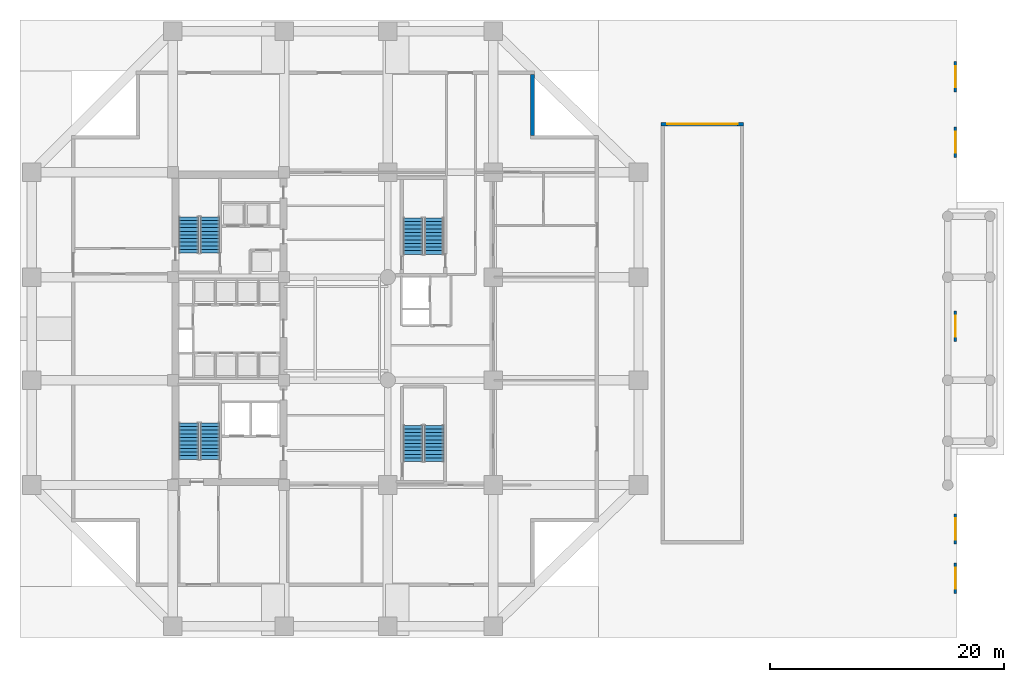
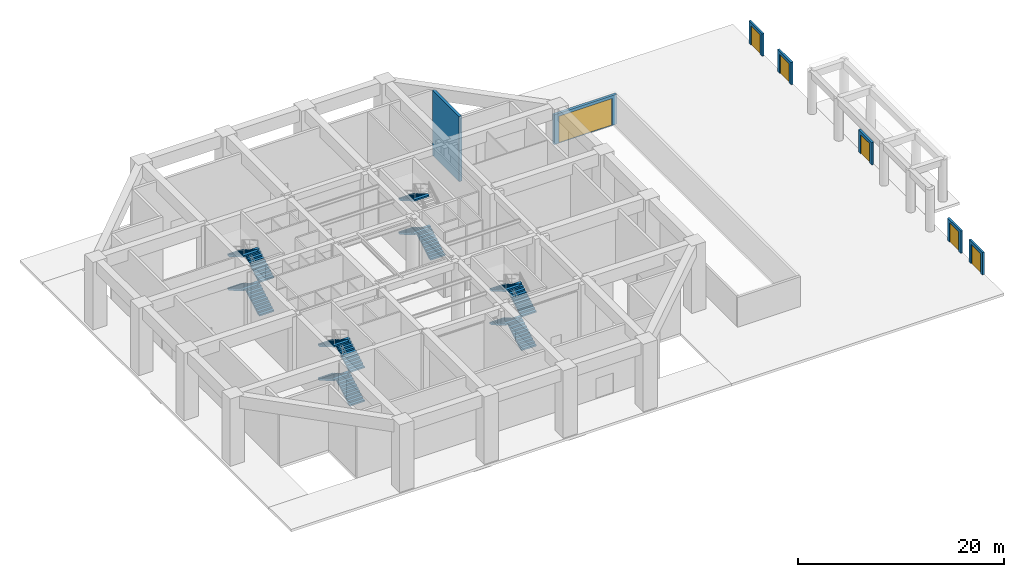
# One storey, part 6 of 10: 15 stair flights, 7 walls, 6 doors, 6 openings, 4 elements without a shape of their own.
"""IFC4 building model written with IfcOpenShell, lengths in metres."""

import ifcopenshell
import ifcopenshell.guid

model = None  # the IFC model being written
_history = None  # IfcOwnerHistory: only IFC2X3 demands one
_inside = {}  # id of a spatial element -> (the spatial element, [elements in it])
_under = {}  # id of a project, library or spatial element -> (it, [spatial elements below it])
_declared = {}  # id of a project -> (the project, [libraries it declares])
_typed = {}  # id of a type object -> (the type object, [elements of that type])
_made_of = {}  # id of a material, layer set ... -> (it, [elements and type objects made of it])


def new_model(schema):
    """Start an empty IFC model of exactly this schema.

    Asked for "IFC4X3", IfcOpenShell would pick the latest addendum, in which some entities
    have other attributes; the version numbers below select the first issue.
    IFC2X3 requires an IfcOwnerHistory on every rooted entity: one is made here for all.
    """
    global model, _history
    if schema == "IFC4X3":
        model = ifcopenshell.file(schema_version=(4, 3, 0, 0))
    else:
        model = ifcopenshell.file(schema=schema)
    _inside.clear()
    _under.clear()
    _declared.clear()
    _typed.clear()
    _made_of.clear()
    _history = None
    if model.schema == "IFC2X3":
        org = make("IfcOrganization", Name="unknown")
        user = make(
            "IfcPersonAndOrganization",
            ThePerson=make("IfcPerson", FamilyName="unknown"),
            TheOrganization=org,
        )
        app = make(
            "IfcApplication",
            ApplicationDeveloper=org,
            Version="unknown",
            ApplicationFullName="unknown",
            ApplicationIdentifier="unknown",
        )
        _history = make(
            "IfcOwnerHistory",
            OwningUser=user,
            OwningApplication=app,
            ChangeAction="ADDED",
            CreationDate=0,
        )
    return model


def make(cls, **values):
    """One entity of the class cls with the attributes given. An attribute that is None is left unset."""
    return model.create_entity(
        cls, **{name: value for name, value in values.items() if value is not None}
    )


def rooted(cls, **values):
    """An entity with a GlobalId (a new one), such as an element, a storey or a relation."""
    return make(cls, GlobalId=ifcopenshell.guid.new(), OwnerHistory=_history, **values)


def si_unit(unit_type, name, prefix=None):
    """IfcSIUnit, for example si_unit("LENGTHUNIT", "METRE", prefix="MILLI")."""
    return make("IfcSIUnit", UnitType=unit_type, Prefix=prefix, Name=name)


def assignment(units):
    """IfcUnitAssignment: the units of a project."""
    return None if units is None else make("IfcUnitAssignment", Units=units)


def point(xyz):
    """IfcCartesianPoint."""
    return None if xyz is None else make("IfcCartesianPoint", Coordinates=xyz)


def direction(xyz):
    """IfcDirection."""
    return None if xyz is None else make("IfcDirection", DirectionRatios=xyz)


def frame(location, z_axis=None, x_axis=None):
    """IfcAxis2Placement3D, a coordinate frame: its origin and axes. An axis left out is left unset."""
    return make(
        "IfcAxis2Placement3D",
        Location=point(location),
        Axis=direction(z_axis),
        RefDirection=direction(x_axis),
    )


def frame_2d(location, x_axis=None):
    """IfcAxis2Placement2D, a coordinate frame in the plane: its origin and x axis."""
    return make(
        "IfcAxis2Placement2D", Location=point(location), RefDirection=direction(x_axis)
    )


def origin():
    """The frame at (0, 0, 0) with its axes left unset."""
    return frame((0.0, 0.0, 0.0))


def place(relative_to, where):
    """IfcLocalPlacement: puts the frame where relative to a parent placement (None: the world)."""
    return make(
        "IfcLocalPlacement", PlacementRelTo=relative_to, RelativePlacement=where
    )


def context(
    kind, dimensions, precision=None, world=None, true_north=None, identifier=None
):
    """IfcGeometricRepresentationContext, for example the 3D "Model" context."""
    return make(
        "IfcGeometricRepresentationContext",
        ContextIdentifier=identifier,
        ContextType=kind,
        CoordinateSpaceDimension=dimensions,
        Precision=precision,
        WorldCoordinateSystem=world,
        TrueNorth=true_north,
    )


def subcontext(parent, identifier, kind, view, scale=None):
    """IfcGeometricRepresentationSubContext, for example "Body" below "Model"."""
    return make(
        "IfcGeometricRepresentationSubContext",
        ContextIdentifier=identifier,
        ContextType=kind,
        ParentContext=parent,
        TargetScale=scale,
        TargetView=view,
    )


def project(units=None, contexts=None):
    """IfcProject with its units and contexts."""
    return rooted(
        "IfcProject",
        Name="project",
        RepresentationContexts=contexts,
        UnitsInContext=assignment(units),
    )


def spatial(cls, under=None, at=None, **own):
    """A site, building, storey or space (cls), placed at a placement, below another one or the project."""
    s = rooted(cls, ObjectPlacement=at, **own)
    if under is not None:
        _under.setdefault(under.id(), (under, []))[1].append(s)
    return s


def polyline(points):
    """IfcPolyline through the points."""
    return make("IfcPolyline", Points=[point(p) for p in points])


def profile(cls, at=None, kind="AREA", **sizes):
    """A parametric profile (cls). Its sizes go by their IFC names, for example OverallWidth=200.0."""
    return make(cls, ProfileType=kind, Position=at, **sizes)


def rectangle(**sizes):
    """IfcRectangleProfileDef."""
    return profile("IfcRectangleProfileDef", **sizes)


def outline(outer, holes=None, kind="AREA"):
    """IfcArbitraryClosedProfileDef: a profile drawn as a closed curve; with holes, ...WithVoids."""
    if holes is None:
        return make("IfcArbitraryClosedProfileDef", ProfileType=kind, OuterCurve=outer)
    return make(
        "IfcArbitraryProfileDefWithVoids",
        ProfileType=kind,
        OuterCurve=outer,
        InnerCurves=holes,
    )


def extrude(swept, where, along, depth):
    """IfcExtrudedAreaSolid: the profile swept, set in the frame where, extruded along a direction by depth."""
    return make(
        "IfcExtrudedAreaSolid",
        SweptArea=swept,
        Position=where,
        ExtrudedDirection=direction(along),
        Depth=depth,
    )


def shape(context_of_items, identifier, shape_type, items):
    """IfcShapeRepresentation: the items that make up one representation, for example the "Body"."""
    return make(
        "IfcShapeRepresentation",
        ContextOfItems=context_of_items,
        RepresentationIdentifier=identifier,
        RepresentationType=shape_type,
        Items=items,
    )


def material(Name=None, Category=None):
    """IfcMaterial."""
    return make("IfcMaterial", Name=Name, Category=Category)


def layer(
    of_material, thickness, ventilated=None, Name=None, Category=None, Priority=None
):
    """IfcMaterialLayer: one layer of a wall or slab, of a material (None: an air gap)."""
    return make(
        "IfcMaterialLayer",
        Material=of_material,
        LayerThickness=thickness,
        IsVentilated=ventilated,
        Name=Name,
        Category=Category,
        Priority=Priority,
    )


def layer_set(layers, Name=None):
    """IfcMaterialLayerSet."""
    return make("IfcMaterialLayerSet", MaterialLayers=layers, LayerSetName=Name)


def made_of(thing, what):
    """Note that an element or type object is made of a material, layer set ...; save() writes the relation."""
    if what is not None:
        _made_of.setdefault(what.id(), (what, []))[1].append(thing)
    return thing


def type_object(cls, material=None, **own):
    """A type object (cls), such as IfcWallType, which elements share."""
    return made_of(rooted(cls, **own), material)


def element(
    cls,
    number,
    at=None,
    inside=None,
    cuts=None,
    type_object=None,
    material=None,
    context=None,
    identifier="Body",
    shape_type=None,
    held_by="IfcProductDefinitionShape",
    body=None,
    shapes=None,
    **own,
):
    """One element of the class cls, such as IfcWall. Its Tag is "e" and its number.

    at: its placement. inside: the storey or other place that contains it. cuts: it is an
    opening in that element (IfcRelVoidsElement). A single representation is given by context,
    identifier, shape_type and body (its items); several are given by shapes. held_by: the class
    of the entity that holds the representations. save() writes the other relations.
    """
    e = rooted(cls, Tag="e%d" % number, ObjectPlacement=at, **own)
    if body is not None:
        shapes = [shape(context, identifier, shape_type, body)]
    if shapes is not None:
        e.Representation = make(held_by, Representations=shapes)
    if inside is not None:
        _inside.setdefault(inside.id(), (inside, []))[1].append(e)
    if cuts is not None:
        rooted(
            "IfcRelVoidsElement", RelatingBuildingElement=cuts, RelatedOpeningElement=e
        )
    if type_object is not None:
        _typed.setdefault(type_object.id(), (type_object, []))[1].append(e)
    return made_of(e, material)


def fill(opening, filler):
    """IfcRelFillsElement: the door or window that sits in an opening."""
    return rooted(
        "IfcRelFillsElement",
        RelatingOpeningElement=opening,
        RelatedBuildingElement=filler,
    )


def aggregate(whole, parts):
    """IfcRelAggregates: a whole, such as a stair, and the parts it consists of."""
    return rooted("IfcRelAggregates", RelatingObject=whole, RelatedObjects=parts)


def save(model, path):
    """Write the relations noted so far, then the file.

    IfcRelAggregates (storeys below a building ...), IfcRelContainedInSpatialStructure (elements
    in a storey), IfcRelDefinesByType, IfcRelAssociatesMaterial and IfcRelDeclares: one each for
    every whole, place, type object, material and project.
    """
    for whole, parts in _under.values():
        aggregate(whole, parts)
    for where, things in _inside.values():
        rooted(
            "IfcRelContainedInSpatialStructure",
            RelatedElements=things,
            RelatingStructure=where,
        )
    for kind, things in _typed.values():
        rooted("IfcRelDefinesByType", RelatedObjects=things, RelatingType=kind)
    for what, things in _made_of.values():
        rooted("IfcRelAssociatesMaterial", RelatedObjects=things, RelatingMaterial=what)
    for by, libraries in _declared.values():
        rooted("IfcRelDeclares", RelatingContext=by, RelatedDefinitions=libraries)
    model.write(path)


model = new_model("IFC4")

# Units and contexts
model_context = context("Model", 3, precision=1e-05, world=origin(), true_north=direction((0.0, 1.0)))
body_context = subcontext(model_context, "Body", "Model", "MODEL_VIEW")
ifc_project = project(units=[si_unit("LENGTHUNIT", "METRE"), si_unit("AREAUNIT", "SQUARE_METRE"), si_unit("VOLUMEUNIT", "CUBIC_METRE"), si_unit("PLANEANGLEUNIT", "RADIAN"), si_unit("MASSUNIT", "GRAM", prefix="KILO")], contexts=[model_context])

# Site, building, storey
site_placement = place(None, origin())
site = spatial("IfcSite", under=ifc_project, at=site_placement, CompositionType="ELEMENT")
building_placement = place(site_placement, origin())
building = spatial("IfcBuilding", under=site, at=building_placement, Name="Kundavana Baori Tower", CompositionType="ELEMENT")
storey_placement = place(building_placement, origin())
storey = spatial("IfcBuildingStorey", under=building, at=storey_placement, Name="L00", CompositionType="ELEMENT", Elevation=0.0)

# Wall, opening, door
ifc_material_1 = material(Name="Concrete C50/60", Category="concrete")
ifc_layer_1 = layer(ifc_material_1, 0.39990234375, Name="WL-CORE-400")
ifc_layer_set_1 = layer_set([ifc_layer_1], Name="Concrete C50/60")
wall_type_1 = type_object("IfcWallType", Name="WL-CORE-400", PredefinedType="SHEAR", material=ifc_layer_set_1)
wall_1_placement = place(storey_placement, frame((57.1201171875, 46.06005859375, 0.0), z_axis=(0.0, 0.0, 1.0), x_axis=(1.0, 0.0, 0.0)))
wall_1 = element("IfcWall", 1, at=wall_1_placement, inside=storey, type_object=wall_type_1, Name="L00 Car Park Ramp Portal Facade Wall", PredefinedType="SHEAR", context=body_context, shape_type="SweptSolid", body=[
    extrude(rectangle(XDim=7.059814453125, YDim=0.280029296875, at=frame_2d((3.52978515625, 0.0))), origin(), (0.0, 0.0, 1.0), 3.5400390625),
])
opening_1_placement = place(wall_1_placement, frame((0.530029296875, 0.0, 0.0)))
opening_1 = element("IfcOpeningElement", 2, at=opening_1_placement, cuts=wall_1, Name="Opening VG-1", PredefinedType="OPENING", context=body_context, shape_type="SweptSolid", body=[
    extrude(rectangle(XDim=6.0, YDim=3.199951171875, at=frame_2d((3.0, 1.60009765625))), frame((0.0, 0.14990234375, 0.0), z_axis=(0.0, -1.0, 0.0), x_axis=(1.0, 0.0, 0.0)), (0.0, 0.0, 1.0), 0.300048828125),
])
ifc_material_2 = material(Name="Architectural Patinated Bronze Metalwork")
door_type_1 = type_object("IfcDoorType", Name="DR-VEH-GATE-6000", OperationType="NOTDEFINED", PredefinedType="GATE", material=ifc_material_2)
door_1_placement = place(opening_1_placement, origin())
door_1 = element("IfcDoor", 3, at=door_1_placement, inside=storey, type_object=door_type_1, Name="L00 Basement Car Park Roller Shutter Vehicle Gate VG-1", OperationType="ROLLINGUP", OverallHeight=3.199951171875, OverallWidth=6.0, PredefinedType="GATE", context=body_context, shape_type="SweptSolid", body=[
    extrude(rectangle(XDim=6.0, YDim=3.199951171875, at=frame_2d((3.0, 1.60009765625))), frame((0.0, 0.02490234375, 0.0), z_axis=(0.0, -1.0, 0.0), x_axis=(1.0, 0.0, 0.0)), (0.0, 0.0, 1.0), 0.050048828125),
])
fill(opening_1, door_1)

# Wall
ifc_material_3 = material(Name="Red-Buff Dholpur Sandstone Cladding on Concrete C40/50", Category="masonry")
ifc_layer_2 = layer(ifc_material_3, 0.300048828125, Name="WL-EXT-SAND-300")
ifc_layer_set_2 = layer_set([ifc_layer_2], Name="Red-Buff Dholpur Sandstone Cladding on Concrete C40/50")
wall_type_2 = type_object("IfcWallType", Name="WL-EXT-SAND-300", PredefinedType="STANDARD", material=ifc_layer_set_2)
wall_2_placement = place(storey_placement, frame((46.14990234375, 45.10009765625, 0.0), z_axis=(0.0, 0.0, 1.0), x_axis=(0.0, 1.0, 0.0)))
element("IfcWall", 4, at=wall_2_placement, inside=storey, type_object=wall_type_2, Name="L00 Exterior Insulated Facade Wall 06", PredefinedType="STANDARD", context=body_context, shape_type="SweptSolid", body=[
    extrude(rectangle(XDim=5.199951171875, YDim=0.300048828125, at=frame_2d((2.60009765625, 0.0))), origin(), (0.0, 0.0, 1.0), 7.719970703125),
])

# Wall, opening, door
ifc_material_4 = material(Name="Red-Buff Dholpur Sandstone Cladding on Concrete C40/50", Category="masonry")
ifc_layer_3 = layer(ifc_material_4, 0.219970703125, Name="WL-PARAPET-220")
ifc_layer_set_3 = layer_set([ifc_layer_3], Name="Red-Buff Dholpur Sandstone Cladding on Concrete C40/50")
wall_type_3 = type_object("IfcWallType", Name="WL-PARAPET-220", PredefinedType="PARAPET", material=ifc_layer_set_3)
wall_3_placement = place(storey_placement, frame((82.25, 6.0, 0.0), z_axis=(0.0, 0.0, 1.0), x_axis=(0.0, 1.0, 0.0)))
wall_3 = element("IfcWall", 5, at=wall_3_placement, inside=storey, type_object=wall_type_3, Name="L00 East Service Yard Screen Wall 1", PredefinedType="PARAPET", context=body_context, shape_type="SweptSolid", body=[
    extrude(rectangle(XDim=2.60009765625, YDim=0.219970703125, at=frame_2d((1.300048828125, 0.0))), origin(), (0.0, 0.0, 1.0), 2.64990234375),
])
opening_2_placement = place(wall_3_placement, frame((0.39990234375, 0.0, 0.0)))
opening_2 = element("IfcOpeningElement", 6, at=opening_2_placement, cuts=wall_3, Name="Opening SG-1", PredefinedType="OPENING", context=body_context, shape_type="SweptSolid", body=[
    extrude(rectangle(XDim=1.800048828125, YDim=2.300048828125, at=frame_2d((0.89990234375, 1.14990234375))), frame((0.0, 0.1201171875, 0.0), z_axis=(0.0, -1.0, 0.0), x_axis=(1.0, 0.0, 0.0)), (0.0, 0.0, 1.0), 0.239990234375),
])
ifc_material_5 = material(Name="Architectural Patinated Bronze Metalwork")
door_type_2 = type_object("IfcDoorType", Name="DR-SRV-GATE-1800", OperationType="NOTDEFINED", PredefinedType="GATE", material=ifc_material_5)
door_2_placement = place(opening_2_placement, origin())
door_2 = element("IfcDoor", 7, at=door_2_placement, inside=storey, type_object=door_type_2, Name="L00 Service Yard Access Gate SG-1", OperationType="SINGLE_SWING_LEFT", OverallHeight=2.300048828125, OverallWidth=1.800048828125, PredefinedType="GATE", context=body_context, shape_type="SweptSolid", body=[
    extrude(rectangle(XDim=1.800048828125, YDim=2.300048828125, at=frame_2d((0.89990234375, 1.14990234375))), frame((0.0, 0.02490234375, 0.0), z_axis=(0.0, -1.0, 0.0), x_axis=(1.0, 0.0, 0.0)), (0.0, 0.0, 1.0), 0.050048828125),
])
fill(opening_2, door_2)

wall_4_placement = place(storey_placement, frame((82.25, 10.199951171875, 0.0), z_axis=(0.0, 0.0, 1.0), x_axis=(0.0, 1.0, 0.0)))
wall_4 = element("IfcWall", 8, at=wall_4_placement, inside=storey, type_object=wall_type_3, Name="L00 East Service Yard Screen Wall 2", PredefinedType="PARAPET", context=body_context, shape_type="SweptSolid", body=[
    extrude(rectangle(XDim=2.60009765625, YDim=0.219970703125, at=frame_2d((1.300048828125, 0.0))), origin(), (0.0, 0.0, 1.0), 2.64990234375),
])
opening_3_placement = place(wall_4_placement, frame((0.39990234375, 0.0, 0.0)))
opening_3 = element("IfcOpeningElement", 9, at=opening_3_placement, cuts=wall_4, Name="Opening SG-1", PredefinedType="OPENING", context=body_context, shape_type="SweptSolid", body=[
    extrude(rectangle(XDim=1.800048828125, YDim=2.300048828125, at=frame_2d((0.89990234375, 1.14990234375))), frame((0.0, 0.1201171875, 0.0), z_axis=(0.0, -1.0, 0.0), x_axis=(1.0, 0.0, 0.0)), (0.0, 0.0, 1.0), 0.239990234375),
])
door_3_placement = place(opening_3_placement, origin())
door_3 = element("IfcDoor", 10, at=door_3_placement, inside=storey, type_object=door_type_2, Name="L00 Service Yard Access Gate SG-2", OperationType="SINGLE_SWING_RIGHT", OverallHeight=2.300048828125, OverallWidth=1.800048828125, PredefinedType="GATE", context=body_context, shape_type="SweptSolid", body=[
    extrude(rectangle(XDim=1.800048828125, YDim=2.300048828125, at=frame_2d((0.89990234375, 1.14990234375))), frame((0.0, 0.02490234375, 0.0), z_axis=(0.0, -1.0, 0.0), x_axis=(1.0, 0.0, 0.0)), (0.0, 0.0, 1.0), 0.050048828125),
])
fill(opening_3, door_3)

wall_5_placement = place(storey_placement, frame((82.25, 27.5, 0.0), z_axis=(0.0, 0.0, 1.0), x_axis=(0.0, 1.0, 0.0)))
wall_5 = element("IfcWall", 11, at=wall_5_placement, inside=storey, type_object=wall_type_3, Name="L00 East Service Yard Screen Wall 3", PredefinedType="PARAPET", context=body_context, shape_type="SweptSolid", body=[
    extrude(rectangle(XDim=2.60009765625, YDim=0.219970703125, at=frame_2d((1.300048828125, 0.0))), origin(), (0.0, 0.0, 1.0), 2.64990234375),
])
opening_4_placement = place(wall_5_placement, frame((0.39990234375, 0.0, 0.0)))
opening_4 = element("IfcOpeningElement", 12, at=opening_4_placement, cuts=wall_5, Name="Opening SG-1", PredefinedType="OPENING", context=body_context, shape_type="SweptSolid", body=[
    extrude(rectangle(XDim=1.800048828125, YDim=2.300048828125, at=frame_2d((0.89990234375, 1.14990234375))), frame((0.0, 0.1201171875, 0.0), z_axis=(0.0, -1.0, 0.0), x_axis=(1.0, 0.0, 0.0)), (0.0, 0.0, 1.0), 0.239990234375),
])
door_4_placement = place(opening_4_placement, origin())
door_4 = element("IfcDoor", 13, at=door_4_placement, inside=storey, type_object=door_type_2, Name="L00 Service Yard Access Gate SG-3", OperationType="SINGLE_SWING_LEFT", OverallHeight=2.300048828125, OverallWidth=1.800048828125, PredefinedType="GATE", context=body_context, shape_type="SweptSolid", body=[
    extrude(rectangle(XDim=1.800048828125, YDim=2.300048828125, at=frame_2d((0.89990234375, 1.14990234375))), frame((0.0, 0.02490234375, 0.0), z_axis=(0.0, -1.0, 0.0), x_axis=(1.0, 0.0, 0.0)), (0.0, 0.0, 1.0), 0.050048828125),
])
fill(opening_4, door_4)

wall_6_placement = place(storey_placement, frame((82.25, 43.199951171875, 0.0), z_axis=(0.0, 0.0, 1.0), x_axis=(0.0, 1.0, 0.0)))
wall_6 = element("IfcWall", 14, at=wall_6_placement, inside=storey, type_object=wall_type_3, Name="L00 East Service Yard Screen Wall 4", PredefinedType="PARAPET", context=body_context, shape_type="SweptSolid", body=[
    extrude(rectangle(XDim=2.60009765625, YDim=0.219970703125, at=frame_2d((1.300048828125, 0.0))), origin(), (0.0, 0.0, 1.0), 2.64990234375),
])
opening_5_placement = place(wall_6_placement, frame((0.39990234375, 0.0, 0.0)))
opening_5 = element("IfcOpeningElement", 15, at=opening_5_placement, cuts=wall_6, Name="Opening SG-1", PredefinedType="OPENING", context=body_context, shape_type="SweptSolid", body=[
    extrude(rectangle(XDim=1.800048828125, YDim=2.300048828125, at=frame_2d((0.89990234375, 1.14990234375))), frame((0.0, 0.1201171875, 0.0), z_axis=(0.0, -1.0, 0.0), x_axis=(1.0, 0.0, 0.0)), (0.0, 0.0, 1.0), 0.239990234375),
])
door_5_placement = place(opening_5_placement, origin())
door_5 = element("IfcDoor", 16, at=door_5_placement, inside=storey, type_object=door_type_2, Name="L00 Service Yard Access Gate SG-4", OperationType="SINGLE_SWING_RIGHT", OverallHeight=2.300048828125, OverallWidth=1.800048828125, PredefinedType="GATE", context=body_context, shape_type="SweptSolid", body=[
    extrude(rectangle(XDim=1.800048828125, YDim=2.300048828125, at=frame_2d((0.89990234375, 1.14990234375))), frame((0.0, 0.02490234375, 0.0), z_axis=(0.0, -1.0, 0.0), x_axis=(1.0, 0.0, 0.0)), (0.0, 0.0, 1.0), 0.050048828125),
])
fill(opening_5, door_5)

wall_7_placement = place(storey_placement, frame((82.25, 48.800048828125, 0.0), z_axis=(0.0, 0.0, 1.0), x_axis=(0.0, 1.0, 0.0)))
wall_7 = element("IfcWall", 17, at=wall_7_placement, inside=storey, type_object=wall_type_3, Name="L00 East Service Yard Screen Wall 5", PredefinedType="PARAPET", context=body_context, shape_type="SweptSolid", body=[
    extrude(rectangle(XDim=2.599853515625, YDim=0.219970703125, at=frame_2d((1.2998046875, 0.0))), origin(), (0.0, 0.0, 1.0), 2.64990234375),
])
opening_6_placement = place(wall_7_placement, frame((0.39990234375, 0.0, 0.0)))
opening_6 = element("IfcOpeningElement", 18, at=opening_6_placement, cuts=wall_7, Name="Opening SG-1", PredefinedType="OPENING", context=body_context, shape_type="SweptSolid", body=[
    extrude(rectangle(XDim=1.800048828125, YDim=2.300048828125, at=frame_2d((0.89990234375, 1.14990234375))), frame((0.0, 0.1201171875, 0.0), z_axis=(0.0, -1.0, 0.0), x_axis=(1.0, 0.0, 0.0)), (0.0, 0.0, 1.0), 0.239990234375),
])
door_6_placement = place(opening_6_placement, origin())
door_6 = element("IfcDoor", 19, at=door_6_placement, inside=storey, type_object=door_type_2, Name="L00 Service Yard Access Gate SG-5", OperationType="SINGLE_SWING_LEFT", OverallHeight=2.300048828125, OverallWidth=1.800048828125, PredefinedType="GATE", context=body_context, shape_type="SweptSolid", body=[
    extrude(rectangle(XDim=1.800048828125, YDim=2.300048828125, at=frame_2d((0.89990234375, 1.14990234375))), frame((0.0, 0.02490234375, 0.0), z_axis=(0.0, -1.0, 0.0), x_axis=(1.0, 0.0, 0.0)), (0.0, 0.0, 1.0), 0.050048828125),
])
fill(opening_6, door_6)

# Stair, stair flights
ifc_material_6 = material(Name="Concrete C40/50", Category="concrete")
stair_type = type_object("IfcStairType", Name="STR-DOG-1650", PredefinedType="HALF_TURN_STAIR", material=ifc_material_6)
stair_1_placement = place(storey_placement, origin())
stair_1 = element("IfcStair", 20, at=stair_1_placement, inside=storey, type_object=stair_type, Name="L00 Protected Exit Stair ST1", PredefinedType="HALF_TURN_STAIR")
ifc_material_7 = material(Name="Concrete C40/50", Category="concrete")
stair_flight_type = type_object("IfcStairFlightType", Name="SFL-RC-1650", PredefinedType="STRAIGHT", material=ifc_material_7)
stair_flight_1_placement = place(storey_placement, frame((18.614990234375, 17.449951171875, 0.0), z_axis=(0.0, 0.0, 1.0), x_axis=(0.0, 1.0, 0.0)))
stair_flight_1 = element("IfcStairFlight", 21, at=stair_flight_1_placement, type_object=stair_flight_type, Name="ST1 flight 1", NumberOfRisers=11, NumberOfTreads=10, PredefinedType="STRAIGHT", RiserHeight=0.181818182, TreadLength=0.31, context=body_context, shape_type="SweptSolid", body=[
    extrude(outline(polyline([(0.0, 0.0), (0.0, 0.181884765625), (0.31005859375, 0.181884765625), (0.31005859375, 0.363525390625), (0.6201171875, 0.363525390625), (0.6201171875, 0.54541015625), (0.929931640625, 0.54541015625), (0.929931640625, 0.727294921875), (1.239990234375, 0.727294921875), (1.239990234375, 0.9091796875), (1.550048828125, 0.9091796875), (1.550048828125, 1.0908203125), (1.860107421875, 1.0908203125), (1.860107421875, 1.272705078125), (2.169921875, 1.272705078125), (2.169921875, 1.45458984375), (2.47998046875, 1.45458984375), (2.47998046875, 1.636474609375), (2.7900390625, 1.636474609375), (2.7900390625, 1.818115234375), (3.10009765625, 1.818115234375), (3.10009765625, 2.0), (3.10009765625, 1.644287109375), (0.29638671875, 0.0), (0.0, 0.0)])), frame((0.0, 0.824951171875, 0.0), z_axis=(0.0, -1.0, 0.0), x_axis=(1.0, 0.0, 0.0)), (0.0, 0.0, 1.0), 1.64990234375),
])
stair_flight_2_placement = place(storey_placement, frame((16.804931640625, 20.550048828125, 2.0), z_axis=(0.0, 0.0, 1.0), x_axis=(0.0, -1.0, 0.0)))
stair_flight_2 = element("IfcStairFlight", 22, at=stair_flight_2_placement, type_object=stair_flight_type, Name="ST1 flight 2", NumberOfRisers=11, NumberOfTreads=10, PredefinedType="STRAIGHT", RiserHeight=0.181818182, TreadLength=0.31, context=body_context, shape_type="SweptSolid", body=[
    extrude(outline(polyline([(0.0, 0.0), (0.0, 0.181884765625), (0.31005859375, 0.181884765625), (0.31005859375, 0.363525390625), (0.6201171875, 0.363525390625), (0.6201171875, 0.54541015625), (0.929931640625, 0.54541015625), (0.929931640625, 0.727294921875), (1.239990234375, 0.727294921875), (1.239990234375, 0.9091796875), (1.550048828125, 0.9091796875), (1.550048828125, 1.0908203125), (1.860107421875, 1.0908203125), (1.860107421875, 1.272705078125), (2.169921875, 1.272705078125), (2.169921875, 1.45458984375), (2.47998046875, 1.45458984375), (2.47998046875, 1.636474609375), (2.7900390625, 1.636474609375), (2.7900390625, 1.818115234375), (3.10009765625, 1.818115234375), (3.10009765625, 2.0), (3.10009765625, 1.644287109375), (0.29638671875, 0.0), (0.0, 0.0)])), frame((0.0, 0.824951171875, 0.0), z_axis=(0.0, -1.0, 0.0), x_axis=(1.0, 0.0, 0.0)), (0.0, 0.0, 1.0), 1.64990234375),
])
stair_flight_3_placement = place(storey_placement, frame((18.614990234375, 17.449951171875, 4.0), z_axis=(0.0, 0.0, 1.0), x_axis=(0.0, 1.0, 0.0)))
stair_flight_3 = element("IfcStairFlight", 23, at=stair_flight_3_placement, type_object=stair_flight_type, Name="ST1 flight 3", NumberOfRisers=11, NumberOfTreads=10, PredefinedType="STRAIGHT", RiserHeight=0.181818182, TreadLength=0.31, context=body_context, shape_type="SweptSolid", body=[
    extrude(outline(polyline([(0.0, 0.0), (0.0, 0.181884765625), (0.31005859375, 0.181884765625), (0.31005859375, 0.363525390625), (0.6201171875, 0.363525390625), (0.6201171875, 0.54541015625), (0.929931640625, 0.54541015625), (0.929931640625, 0.727294921875), (1.239990234375, 0.727294921875), (1.239990234375, 0.9091796875), (1.550048828125, 0.9091796875), (1.550048828125, 1.0908203125), (1.860107421875, 1.0908203125), (1.860107421875, 1.272705078125), (2.169921875, 1.272705078125), (2.169921875, 1.45458984375), (2.47998046875, 1.45458984375), (2.47998046875, 1.636474609375), (2.7900390625, 1.636474609375), (2.7900390625, 1.818115234375), (3.10009765625, 1.818115234375), (3.10009765625, 2.0), (3.10009765625, 1.644287109375), (0.29638671875, 0.0), (0.0, 0.0)])), frame((0.0, 0.824951171875, 0.0), z_axis=(0.0, -1.0, 0.0), x_axis=(1.0, 0.0, 0.0)), (0.0, 0.0, 1.0), 1.64990234375),
])
stair_flight_4_placement = place(storey_placement, frame((16.804931640625, 20.550048828125, 6.0), z_axis=(0.0, 0.0, 1.0), x_axis=(0.0, -1.0, 0.0)))
stair_flight_4 = element("IfcStairFlight", 24, at=stair_flight_4_placement, type_object=stair_flight_type, Name="ST1 flight 4", NumberOfRisers=11, NumberOfTreads=10, PredefinedType="STRAIGHT", RiserHeight=0.181818182, TreadLength=0.31, context=body_context, shape_type="SweptSolid", body=[
    extrude(outline(polyline([(0.0, 0.0), (0.0, 0.181884765625), (0.31005859375, 0.181884765625), (0.31005859375, 0.363525390625), (0.6201171875, 0.363525390625), (0.6201171875, 0.54541015625), (0.929931640625, 0.54541015625), (0.929931640625, 0.727294921875), (1.239990234375, 0.727294921875), (1.239990234375, 0.9091796875), (1.550048828125, 0.9091796875), (1.550048828125, 1.0908203125), (1.860107421875, 1.0908203125), (1.860107421875, 1.272705078125), (2.169921875, 1.272705078125), (2.169921875, 1.45458984375), (2.47998046875, 1.45458984375), (2.47998046875, 1.636474609375), (2.7900390625, 1.636474609375), (2.7900390625, 1.818115234375), (3.10009765625, 1.818115234375), (3.10009765625, 2.0), (3.10009765625, 1.644287109375), (0.29638671875, 0.0), (0.0, 0.0)])), frame((0.0, 0.824951171875, 0.0), z_axis=(0.0, -1.0, 0.0), x_axis=(1.0, 0.0, 0.0)), (0.0, 0.0, 1.0), 1.64990234375),
])
aggregate(stair_1, [stair_flight_1, stair_flight_2, stair_flight_3, stair_flight_4])

stair_2_placement = place(storey_placement, origin())
stair_2 = element("IfcStair", 25, at=stair_2_placement, inside=storey, type_object=stair_type, Name="L00 Protected Exit Stair ST2", PredefinedType="HALF_TURN_STAIR")
stair_flight_5_placement = place(storey_placement, frame((18.614990234375, 35.050048828125, 0.0), z_axis=(0.0, 0.0, 1.0), x_axis=(0.0, 1.0, 0.0)))
stair_flight_5 = element("IfcStairFlight", 26, at=stair_flight_5_placement, type_object=stair_flight_type, Name="ST2 flight 1", NumberOfRisers=11, NumberOfTreads=10, PredefinedType="STRAIGHT", RiserHeight=0.181818182, TreadLength=0.31, context=body_context, shape_type="SweptSolid", body=[
    extrude(outline(polyline([(0.0, 0.0), (0.0, 0.181884765625), (0.31005859375, 0.181884765625), (0.31005859375, 0.363525390625), (0.6201171875, 0.363525390625), (0.6201171875, 0.54541015625), (0.929931640625, 0.54541015625), (0.929931640625, 0.727294921875), (1.239990234375, 0.727294921875), (1.239990234375, 0.9091796875), (1.550048828125, 0.9091796875), (1.550048828125, 1.0908203125), (1.860107421875, 1.0908203125), (1.860107421875, 1.272705078125), (2.169921875, 1.272705078125), (2.169921875, 1.45458984375), (2.47998046875, 1.45458984375), (2.47998046875, 1.636474609375), (2.7900390625, 1.636474609375), (2.7900390625, 1.818115234375), (3.10009765625, 1.818115234375), (3.10009765625, 2.0), (3.10009765625, 1.644287109375), (0.29638671875, 0.0), (0.0, 0.0)])), frame((0.0, 0.824951171875, 0.0), z_axis=(0.0, -1.0, 0.0), x_axis=(1.0, 0.0, 0.0)), (0.0, 0.0, 1.0), 1.64990234375),
])
stair_flight_6_placement = place(storey_placement, frame((16.804931640625, 38.14990234375, 2.0), z_axis=(0.0, 0.0, 1.0), x_axis=(0.0, -1.0, 0.0)))
stair_flight_6 = element("IfcStairFlight", 27, at=stair_flight_6_placement, type_object=stair_flight_type, Name="ST2 flight 2", NumberOfRisers=11, NumberOfTreads=10, PredefinedType="STRAIGHT", RiserHeight=0.181818182, TreadLength=0.31, context=body_context, shape_type="SweptSolid", body=[
    extrude(outline(polyline([(0.0, 0.0), (0.0, 0.181884765625), (0.31005859375, 0.181884765625), (0.31005859375, 0.363525390625), (0.6201171875, 0.363525390625), (0.6201171875, 0.54541015625), (0.929931640625, 0.54541015625), (0.929931640625, 0.727294921875), (1.239990234375, 0.727294921875), (1.239990234375, 0.9091796875), (1.550048828125, 0.9091796875), (1.550048828125, 1.0908203125), (1.860107421875, 1.0908203125), (1.860107421875, 1.272705078125), (2.169921875, 1.272705078125), (2.169921875, 1.45458984375), (2.47998046875, 1.45458984375), (2.47998046875, 1.636474609375), (2.7900390625, 1.636474609375), (2.7900390625, 1.818115234375), (3.10009765625, 1.818115234375), (3.10009765625, 2.0), (3.10009765625, 1.644287109375), (0.29638671875, 0.0), (0.0, 0.0)])), frame((0.0, 0.824951171875, 0.0), z_axis=(0.0, -1.0, 0.0), x_axis=(1.0, 0.0, 0.0)), (0.0, 0.0, 1.0), 1.64990234375),
])
stair_flight_7_placement = place(storey_placement, frame((18.614990234375, 35.050048828125, 4.0), z_axis=(0.0, 0.0, 1.0), x_axis=(0.0, 1.0, 0.0)))
stair_flight_7 = element("IfcStairFlight", 28, at=stair_flight_7_placement, type_object=stair_flight_type, Name="ST2 flight 3", NumberOfRisers=11, NumberOfTreads=10, PredefinedType="STRAIGHT", RiserHeight=0.181818182, TreadLength=0.31, context=body_context, shape_type="SweptSolid", body=[
    extrude(outline(polyline([(0.0, 0.0), (0.0, 0.181884765625), (0.31005859375, 0.181884765625), (0.31005859375, 0.363525390625), (0.6201171875, 0.363525390625), (0.6201171875, 0.54541015625), (0.929931640625, 0.54541015625), (0.929931640625, 0.727294921875), (1.239990234375, 0.727294921875), (1.239990234375, 0.9091796875), (1.550048828125, 0.9091796875), (1.550048828125, 1.0908203125), (1.860107421875, 1.0908203125), (1.860107421875, 1.272705078125), (2.169921875, 1.272705078125), (2.169921875, 1.45458984375), (2.47998046875, 1.45458984375), (2.47998046875, 1.636474609375), (2.7900390625, 1.636474609375), (2.7900390625, 1.818115234375), (3.10009765625, 1.818115234375), (3.10009765625, 2.0), (3.10009765625, 1.644287109375), (0.29638671875, 0.0), (0.0, 0.0)])), frame((0.0, 0.824951171875, 0.0), z_axis=(0.0, -1.0, 0.0), x_axis=(1.0, 0.0, 0.0)), (0.0, 0.0, 1.0), 1.64990234375),
])
stair_flight_8_placement = place(storey_placement, frame((16.804931640625, 38.14990234375, 6.0), z_axis=(0.0, 0.0, 1.0), x_axis=(0.0, -1.0, 0.0)))
stair_flight_8 = element("IfcStairFlight", 29, at=stair_flight_8_placement, type_object=stair_flight_type, Name="ST2 flight 4", NumberOfRisers=11, NumberOfTreads=10, PredefinedType="STRAIGHT", RiserHeight=0.181818182, TreadLength=0.31, context=body_context, shape_type="SweptSolid", body=[
    extrude(outline(polyline([(0.0, 0.0), (0.0, 0.181884765625), (0.31005859375, 0.181884765625), (0.31005859375, 0.363525390625), (0.6201171875, 0.363525390625), (0.6201171875, 0.54541015625), (0.929931640625, 0.54541015625), (0.929931640625, 0.727294921875), (1.239990234375, 0.727294921875), (1.239990234375, 0.9091796875), (1.550048828125, 0.9091796875), (1.550048828125, 1.0908203125), (1.860107421875, 1.0908203125), (1.860107421875, 1.272705078125), (2.169921875, 1.272705078125), (2.169921875, 1.45458984375), (2.47998046875, 1.45458984375), (2.47998046875, 1.636474609375), (2.7900390625, 1.636474609375), (2.7900390625, 1.818115234375), (3.10009765625, 1.818115234375), (3.10009765625, 2.0), (3.10009765625, 1.644287109375), (0.29638671875, 0.0), (0.0, 0.0)])), frame((0.0, 0.824951171875, 0.0), z_axis=(0.0, -1.0, 0.0), x_axis=(1.0, 0.0, 0.0)), (0.0, 0.0, 1.0), 1.64990234375),
])
aggregate(stair_2, [stair_flight_5, stair_flight_6, stair_flight_7, stair_flight_8])

stair_3_placement = place(storey_placement, origin())
stair_3 = element("IfcStair", 30, at=stair_3_placement, inside=storey, type_object=stair_type, Name="L00 Protected Exit Stair ST3", PredefinedType="HALF_TURN_STAIR")
stair_flight_9_placement = place(storey_placement, frame((37.7548828125, 34.949951171875, 0.0), z_axis=(0.0, 0.0, 1.0), x_axis=(0.0, 1.0, 0.0)))
stair_flight_9 = element("IfcStairFlight", 31, at=stair_flight_9_placement, type_object=stair_flight_type, Name="ST3 flight 1", NumberOfRisers=11, NumberOfTreads=10, PredefinedType="STRAIGHT", RiserHeight=0.181818182, TreadLength=0.31, context=body_context, shape_type="SweptSolid", body=[
    extrude(outline(polyline([(0.0, 0.0), (0.0, 0.181884765625), (0.31005859375, 0.181884765625), (0.31005859375, 0.363525390625), (0.6201171875, 0.363525390625), (0.6201171875, 0.54541015625), (0.929931640625, 0.54541015625), (0.929931640625, 0.727294921875), (1.239990234375, 0.727294921875), (1.239990234375, 0.9091796875), (1.550048828125, 0.9091796875), (1.550048828125, 1.0908203125), (1.860107421875, 1.0908203125), (1.860107421875, 1.272705078125), (2.169921875, 1.272705078125), (2.169921875, 1.45458984375), (2.47998046875, 1.45458984375), (2.47998046875, 1.636474609375), (2.7900390625, 1.636474609375), (2.7900390625, 1.818115234375), (3.10009765625, 1.818115234375), (3.10009765625, 2.0), (3.10009765625, 1.644287109375), (0.29638671875, 0.0), (0.0, 0.0)])), frame((0.0, 0.824951171875, 0.0), z_axis=(0.0, -1.0, 0.0), x_axis=(1.0, 0.0, 0.0)), (0.0, 0.0, 1.0), 1.64990234375),
])
stair_flight_10_placement = place(storey_placement, frame((35.945068359375, 38.050048828125, 2.0), z_axis=(0.0, 0.0, 1.0), x_axis=(0.0, -1.0, 0.0)))
stair_flight_10 = element("IfcStairFlight", 32, at=stair_flight_10_placement, type_object=stair_flight_type, Name="ST3 flight 2", NumberOfRisers=11, NumberOfTreads=10, PredefinedType="STRAIGHT", RiserHeight=0.181818182, TreadLength=0.31, context=body_context, shape_type="SweptSolid", body=[
    extrude(outline(polyline([(0.0, 0.0), (0.0, 0.181884765625), (0.31005859375, 0.181884765625), (0.31005859375, 0.363525390625), (0.6201171875, 0.363525390625), (0.6201171875, 0.54541015625), (0.929931640625, 0.54541015625), (0.929931640625, 0.727294921875), (1.239990234375, 0.727294921875), (1.239990234375, 0.9091796875), (1.550048828125, 0.9091796875), (1.550048828125, 1.0908203125), (1.860107421875, 1.0908203125), (1.860107421875, 1.272705078125), (2.169921875, 1.272705078125), (2.169921875, 1.45458984375), (2.47998046875, 1.45458984375), (2.47998046875, 1.636474609375), (2.7900390625, 1.636474609375), (2.7900390625, 1.818115234375), (3.10009765625, 1.818115234375), (3.10009765625, 2.0), (3.10009765625, 1.644287109375), (0.29638671875, 0.0), (0.0, 0.0)])), frame((0.0, 0.824951171875, 0.0), z_axis=(0.0, -1.0, 0.0), x_axis=(1.0, 0.0, 0.0)), (0.0, 0.0, 1.0), 1.64990234375),
])
stair_flight_11_placement = place(storey_placement, frame((35.945068359375, 38.050048828125, 6.0), z_axis=(0.0, 0.0, 1.0), x_axis=(0.0, -1.0, 0.0)))
stair_flight_11 = element("IfcStairFlight", 33, at=stair_flight_11_placement, type_object=stair_flight_type, Name="ST3 flight 4", NumberOfRisers=11, NumberOfTreads=10, PredefinedType="STRAIGHT", RiserHeight=0.181818182, TreadLength=0.31, context=body_context, shape_type="SweptSolid", body=[
    extrude(outline(polyline([(0.0, 0.0), (0.0, 0.181884765625), (0.31005859375, 0.181884765625), (0.31005859375, 0.363525390625), (0.6201171875, 0.363525390625), (0.6201171875, 0.54541015625), (0.929931640625, 0.54541015625), (0.929931640625, 0.727294921875), (1.239990234375, 0.727294921875), (1.239990234375, 0.9091796875), (1.550048828125, 0.9091796875), (1.550048828125, 1.0908203125), (1.860107421875, 1.0908203125), (1.860107421875, 1.272705078125), (2.169921875, 1.272705078125), (2.169921875, 1.45458984375), (2.47998046875, 1.45458984375), (2.47998046875, 1.636474609375), (2.7900390625, 1.636474609375), (2.7900390625, 1.818115234375), (3.10009765625, 1.818115234375), (3.10009765625, 2.0), (3.10009765625, 1.644287109375), (0.29638671875, 0.0), (0.0, 0.0)])), frame((0.0, 0.824951171875, 0.0), z_axis=(0.0, -1.0, 0.0), x_axis=(1.0, 0.0, 0.0)), (0.0, 0.0, 1.0), 1.64990234375),
])
aggregate(stair_3, [stair_flight_9, stair_flight_10, stair_flight_11])

stair_4_placement = place(storey_placement, origin())
stair_4 = element("IfcStair", 34, at=stair_4_placement, inside=storey, type_object=stair_type, Name="L00 Podium Atrium Stair ST4", PredefinedType="HALF_TURN_STAIR")
stair_flight_12_placement = place(storey_placement, frame((37.7548828125, 17.25, 0.0), z_axis=(0.0, 0.0, 1.0), x_axis=(0.0, 1.0, 0.0)))
stair_flight_12 = element("IfcStairFlight", 35, at=stair_flight_12_placement, type_object=stair_flight_type, Name="ST4 flight 1", NumberOfRisers=11, NumberOfTreads=10, PredefinedType="STRAIGHT", RiserHeight=0.181818182, TreadLength=0.31, context=body_context, shape_type="SweptSolid", body=[
    extrude(outline(polyline([(0.0, 0.0), (0.0, 0.181884765625), (0.31005859375, 0.181884765625), (0.31005859375, 0.363525390625), (0.6201171875, 0.363525390625), (0.6201171875, 0.54541015625), (0.929931640625, 0.54541015625), (0.929931640625, 0.727294921875), (1.239990234375, 0.727294921875), (1.239990234375, 0.9091796875), (1.550048828125, 0.9091796875), (1.550048828125, 1.0908203125), (1.860107421875, 1.0908203125), (1.860107421875, 1.272705078125), (2.169921875, 1.272705078125), (2.169921875, 1.45458984375), (2.47998046875, 1.45458984375), (2.47998046875, 1.636474609375), (2.7900390625, 1.636474609375), (2.7900390625, 1.818115234375), (3.10009765625, 1.818115234375), (3.10009765625, 2.0), (3.10009765625, 1.644287109375), (0.29638671875, 0.0), (0.0, 0.0)])), frame((0.0, 0.824951171875, 0.0), z_axis=(0.0, -1.0, 0.0), x_axis=(1.0, 0.0, 0.0)), (0.0, 0.0, 1.0), 1.64990234375),
])
stair_flight_13_placement = place(storey_placement, frame((35.945068359375, 20.35009765625, 2.0), z_axis=(0.0, 0.0, 1.0), x_axis=(0.0, -1.0, 0.0)))
stair_flight_13 = element("IfcStairFlight", 36, at=stair_flight_13_placement, type_object=stair_flight_type, Name="ST4 flight 2", NumberOfRisers=11, NumberOfTreads=10, PredefinedType="STRAIGHT", RiserHeight=0.181818182, TreadLength=0.31, context=body_context, shape_type="SweptSolid", body=[
    extrude(outline(polyline([(0.0, 0.0), (0.0, 0.181884765625), (0.31005859375, 0.181884765625), (0.31005859375, 0.363525390625), (0.6201171875, 0.363525390625), (0.6201171875, 0.54541015625), (0.929931640625, 0.54541015625), (0.929931640625, 0.727294921875), (1.239990234375, 0.727294921875), (1.239990234375, 0.9091796875), (1.550048828125, 0.9091796875), (1.550048828125, 1.0908203125), (1.860107421875, 1.0908203125), (1.860107421875, 1.272705078125), (2.169921875, 1.272705078125), (2.169921875, 1.45458984375), (2.47998046875, 1.45458984375), (2.47998046875, 1.636474609375), (2.7900390625, 1.636474609375), (2.7900390625, 1.818115234375), (3.10009765625, 1.818115234375), (3.10009765625, 2.0), (3.10009765625, 1.644287109375), (0.29638671875, 0.0), (0.0, 0.0)])), frame((0.0, 0.824951171875, 0.0), z_axis=(0.0, -1.0, 0.0), x_axis=(1.0, 0.0, 0.0)), (0.0, 0.0, 1.0), 1.64990234375),
])
stair_flight_14_placement = place(storey_placement, frame((37.7548828125, 17.25, 4.0), z_axis=(0.0, 0.0, 1.0), x_axis=(0.0, 1.0, 0.0)))
stair_flight_14 = element("IfcStairFlight", 37, at=stair_flight_14_placement, type_object=stair_flight_type, Name="ST4 flight 3", NumberOfRisers=11, NumberOfTreads=10, PredefinedType="STRAIGHT", RiserHeight=0.181818182, TreadLength=0.31, context=body_context, shape_type="SweptSolid", body=[
    extrude(outline(polyline([(0.0, 0.0), (0.0, 0.181884765625), (0.31005859375, 0.181884765625), (0.31005859375, 0.363525390625), (0.6201171875, 0.363525390625), (0.6201171875, 0.54541015625), (0.929931640625, 0.54541015625), (0.929931640625, 0.727294921875), (1.239990234375, 0.727294921875), (1.239990234375, 0.9091796875), (1.550048828125, 0.9091796875), (1.550048828125, 1.0908203125), (1.860107421875, 1.0908203125), (1.860107421875, 1.272705078125), (2.169921875, 1.272705078125), (2.169921875, 1.45458984375), (2.47998046875, 1.45458984375), (2.47998046875, 1.636474609375), (2.7900390625, 1.636474609375), (2.7900390625, 1.818115234375), (3.10009765625, 1.818115234375), (3.10009765625, 2.0), (3.10009765625, 1.644287109375), (0.29638671875, 0.0), (0.0, 0.0)])), frame((0.0, 0.824951171875, 0.0), z_axis=(0.0, -1.0, 0.0), x_axis=(1.0, 0.0, 0.0)), (0.0, 0.0, 1.0), 1.64990234375),
])
stair_flight_15_placement = place(storey_placement, frame((35.945068359375, 20.35009765625, 6.0), z_axis=(0.0, 0.0, 1.0), x_axis=(0.0, -1.0, 0.0)))
stair_flight_15 = element("IfcStairFlight", 38, at=stair_flight_15_placement, type_object=stair_flight_type, Name="ST4 flight 4", NumberOfRisers=11, NumberOfTreads=10, PredefinedType="STRAIGHT", RiserHeight=0.181818182, TreadLength=0.31, context=body_context, shape_type="SweptSolid", body=[
    extrude(outline(polyline([(0.0, 0.0), (0.0, 0.181884765625), (0.31005859375, 0.181884765625), (0.31005859375, 0.363525390625), (0.6201171875, 0.363525390625), (0.6201171875, 0.54541015625), (0.929931640625, 0.54541015625), (0.929931640625, 0.727294921875), (1.239990234375, 0.727294921875), (1.239990234375, 0.9091796875), (1.550048828125, 0.9091796875), (1.550048828125, 1.0908203125), (1.860107421875, 1.0908203125), (1.860107421875, 1.272705078125), (2.169921875, 1.272705078125), (2.169921875, 1.45458984375), (2.47998046875, 1.45458984375), (2.47998046875, 1.636474609375), (2.7900390625, 1.636474609375), (2.7900390625, 1.818115234375), (3.10009765625, 1.818115234375), (3.10009765625, 2.0), (3.10009765625, 1.644287109375), (0.29638671875, 0.0), (0.0, 0.0)])), frame((0.0, 0.824951171875, 0.0), z_axis=(0.0, -1.0, 0.0), x_axis=(1.0, 0.0, 0.0)), (0.0, 0.0, 1.0), 1.64990234375),
])
aggregate(stair_4, [stair_flight_12, stair_flight_13, stair_flight_14, stair_flight_15])

save(model, "model.ifc")
